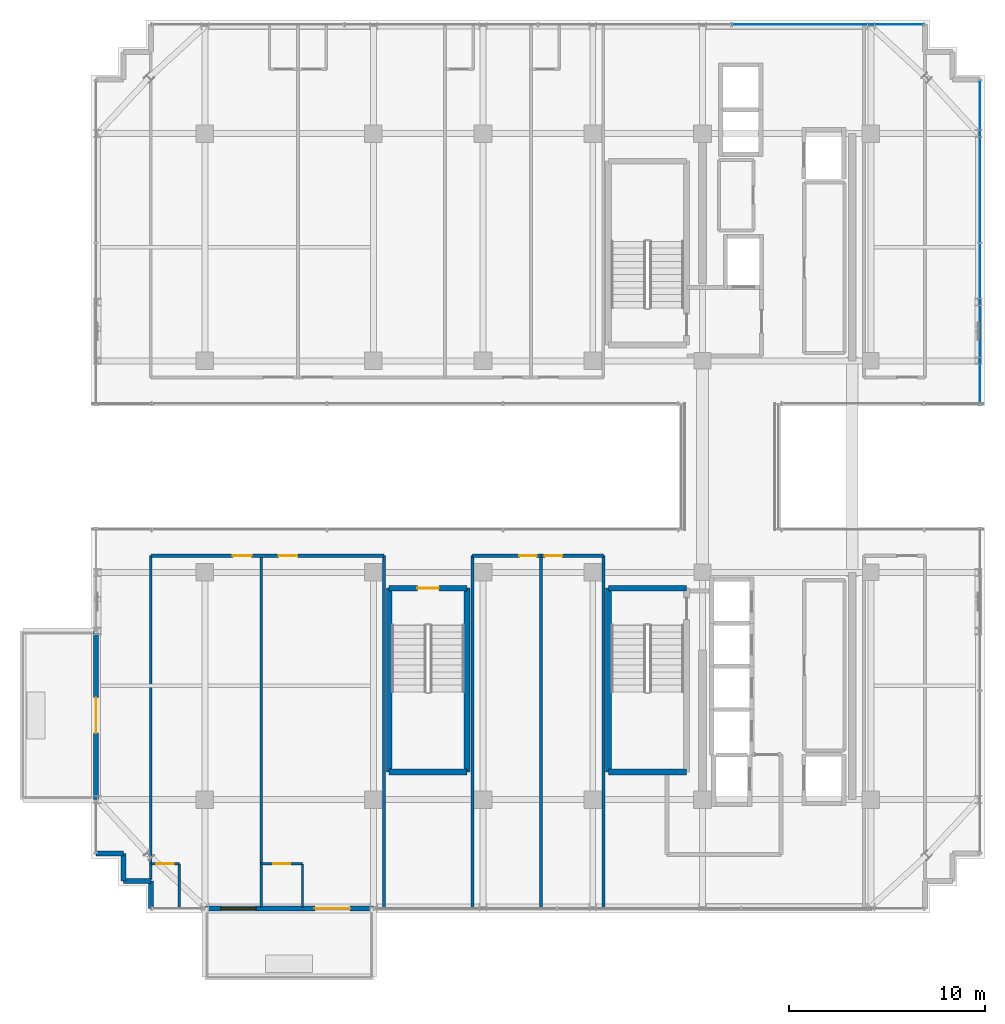
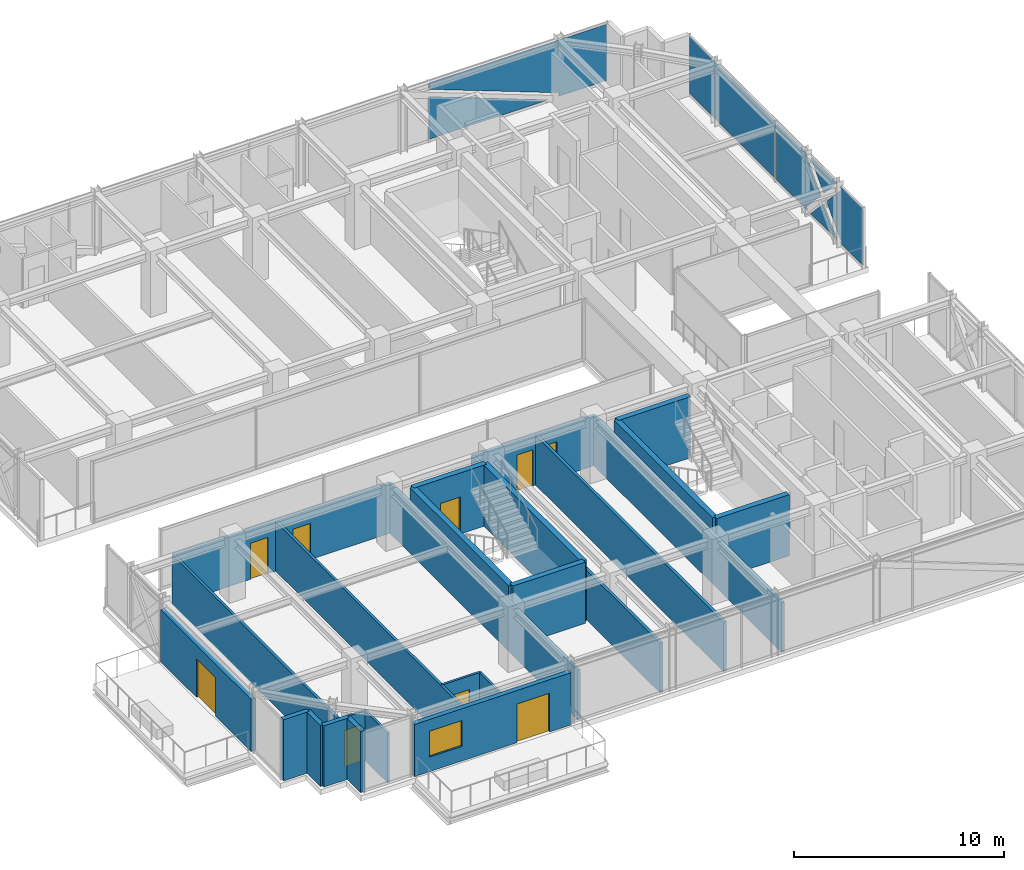
# One storey, part 30 of 37: 26 walls, 9 doors, 3 plates, 1 window, 10 openings, 2 elements without a shape of their own.
"""IFC4 building model written with IfcOpenShell, lengths in metres."""

from ifc_helpers import new_model, si_unit, direction, frame, frame_2d, origin, origin_2d, place, context, subcontext, project, spatial, polyline, rectangle, outline, extrude, source, transform, mapped, material, layer, layer_set, type_object, element, fill, aggregate, save


model = new_model("IFC4")

# Units and contexts
model_context = context("Model", 3, precision=1e-05, world=origin(), true_north=direction((0.0, 1.0)))
body_context = subcontext(model_context, "Body", "Model", "MODEL_VIEW")
ifc_project = project(units=[si_unit("LENGTHUNIT", "METRE"), si_unit("AREAUNIT", "SQUARE_METRE"), si_unit("VOLUMEUNIT", "CUBIC_METRE"), si_unit("PLANEANGLEUNIT", "RADIAN"), si_unit("MASSUNIT", "GRAM", prefix="KILO")], contexts=[model_context])

# Site, building, storey
site_placement = place(None, origin())
site = spatial("IfcSite", under=ifc_project, at=site_placement, CompositionType="ELEMENT")
building_placement = place(site_placement, origin())
building = spatial("IfcBuilding", under=site, at=building_placement, Name="Nahalor Promenade Grand Hotel", CompositionType="ELEMENT")
storey_placement = place(building_placement, frame((0.0, 0.0, 308.050048828125)))
storey = spatial("IfcBuildingStorey", under=building, at=storey_placement, Name="L79", CompositionType="ELEMENT", Elevation=308.050048828125)

# Curtain wall, plate
ifc_material_1 = material(Name="Anodised Bronze Aluminium EN AW-6063 T6", Category="aluminium")
curtain_wall_type = type_object("IfcCurtainWallType", Name="CW3 Elliptical-Void Collar Unitised Curtain Wall", PredefinedType="USERDEFINED", material=ifc_material_1)
curtain_wall_1_placement = place(storey_placement, origin())
curtain_wall_1 = element("IfcCurtainWall", 1, at=curtain_wall_1_placement, inside=storey, type_object=curtain_wall_type, Name="L79 Curtain Wall CW-L79-N-1", ObjectType="UNITISED_CURTAIN_WALL", PredefinedType="USERDEFINED")
ifc_material_2 = material(Name="Low-E Laminated Solar Glass", Category="glass")
ifc_layer_1 = layer(ifc_material_2, 0.030029296875)
ifc_layer_set_1 = layer_set([ifc_layer_1], Name="Low-E Laminated Solar Glass")
plate_type = type_object("IfcPlateType", Name="CWP3 High-Wind Laminated Bronze IGU 30mm", PredefinedType="CURTAIN_PANEL", material=ifc_layer_set_1)
plate_1_placement = place(storey_placement, frame((14.802490234375, 22.56005859375, 0.139892578125), z_axis=(0.0, 0.0, 1.0), x_axis=(1.0, 0.0, 0.0)))
plate_1 = element("IfcPlate", 2, at=plate_1_placement, type_object=plate_type, Name="CW-L79-N-1 Glazing Panel 3-0", PredefinedType="CURTAIN_PANEL", context=body_context, shape_type="SweptSolid", body=[
    extrude(outline(polyline([(4.887451171875, 3.27001953125), (-4.887451171875, 3.27001953125), (-4.887451171875, 2.9013671875), (2.29150390625, 0.188232421875), (2.220458984375, 0.0), (4.887451171875, 0.0), (4.887451171875, 3.27001953125)])), frame((0.0, 0.01513671875, 0.0), z_axis=(0.0, -1.0, 0.0), x_axis=(1.0, 0.0, 0.0)), (0.0, 0.0, 1.0), 0.030029296875),
    extrude(outline(polyline([(-4.887451171875, 2.4736328125), (-4.887451171875, 0.0), (1.658203125, 0.0), (-4.887451171875, 2.4736328125)])), frame((0.0, 0.01513671875, 0.0), z_axis=(0.0, -1.0, 0.0), x_axis=(1.0, 0.0, 0.0)), (0.0, 0.0, 1.0), 0.030029296875),
])
aggregate(curtain_wall_1, [plate_1])

# Curtain wall, plates
curtain_wall_2_placement = place(storey_placement, origin())
curtain_wall_2 = element("IfcCurtainWall", 3, at=curtain_wall_2_placement, inside=storey, type_object=curtain_wall_type, Name="L79 Curtain Wall CW-L79-E-2", ObjectType="UNITISED_CURTAIN_WALL", PredefinedType="USERDEFINED")
plate_2_placement = place(storey_placement, frame((22.56005859375, 7.282470703125, 0.139892578125), z_axis=(0.0, 0.0, 1.0), x_axis=(0.0, 1.0, 0.0)))
plate_2 = element("IfcPlate", 4, at=plate_2_placement, type_object=plate_type, Name="CW-L79-E-2 Glazing Panel 0-0", PredefinedType="CURTAIN_PANEL", context=body_context, shape_type="SweptSolid", body=[
    extrude(outline(polyline([(-4.112548828125, 3.27001953125), (-4.112548828125, 0.0), (-1.908447265625, 0.0), (-2.04638671875, 0.127197265625), (-0.65478515625, 1.635009765625), (-2.04638671875, 3.142822265625), (-1.908447265625, 3.27001953125), (-4.112548828125, 3.27001953125)])), frame((0.0, 0.01513671875, 0.0), z_axis=(0.0, -1.0, 0.0), x_axis=(1.0, 0.0, 0.0)), (0.0, 0.0, 1.0), 0.030029296875),
    extrude(outline(polyline([(-0.382568359375, 1.340087890625), (-1.61962890625, 0.0), (0.8544921875, 0.0), (-0.382568359375, 1.340087890625)])), frame((0.0, 0.01513671875, 0.0), z_axis=(0.0, -1.0, 0.0), x_axis=(1.0, 0.0, 0.0)), (0.0, 0.0, 1.0), 0.030029296875),
    extrude(outline(polyline([(-0.382568359375, 1.929931640625), (0.8544921875, 3.27001953125), (-1.61962890625, 3.27001953125), (-0.382568359375, 1.929931640625)])), frame((0.0, 0.01513671875, 0.0), z_axis=(0.0, -1.0, 0.0), x_axis=(1.0, 0.0, 0.0)), (0.0, 0.0, 1.0), 0.030029296875),
    extrude(outline(polyline([(4.112548828125, 0.0), (4.112548828125, 3.27001953125), (1.1435546875, 3.27001953125), (1.281494140625, 3.142822265625), (-0.1103515625, 1.635009765625), (1.281494140625, 0.127197265625), (1.1435546875, 0.0), (4.112548828125, 0.0)])), frame((0.0, 0.01513671875, 0.0), z_axis=(0.0, -1.0, 0.0), x_axis=(1.0, 0.0, 0.0)), (0.0, 0.0, 1.0), 0.030029296875),
])
shared_shape_1 = source(origin(), body_context, "Body", "SweptSolid", [
    extrude(rectangle(XDim=8.22509765625, YDim=0.030029296875, at=origin_2d()), origin(), (0.0, 0.0, 1.0), 3.27001953125),
])
plate_3_placement = place(storey_placement, frame((22.56005859375, 15.577392578125, 0.139892578125), z_axis=(0.0, 0.0, 1.0), x_axis=(0.0, 1.0, 0.0)))
plate_3 = element("IfcPlate", 5, at=plate_3_placement, type_object=plate_type, Name="CW-L79-E-2 Glazing Panel 1-0", PredefinedType="CURTAIN_PANEL", context=body_context, shape_type="MappedRepresentation", body=[
    mapped(shared_shape_1, transform((0.0, 0.0, 0.0), scale=1.0)),
])
aggregate(curtain_wall_2, [plate_2, plate_3])

# Walls
ifc_material_3 = material(Name="Concrete B-50 (C40/50)", Category="concrete")
ifc_layer_2 = layer(ifc_material_3, 0.300048828125)
ifc_layer_set_2 = layer_set([ifc_layer_2], Name="Concrete B-50 (C40/50)")
wall_type_1 = type_object("IfcWallType", Name="Wall-ShaftShear-300", PredefinedType="SHEAR", material=ifc_layer_set_2)
shared_shape_2 = source(origin(), body_context, "Body", "SweptSolid", [
    extrude(rectangle(XDim=3.97998046875, YDim=0.300048828125, at=frame_2d((1.989990234375, 0.0))), origin(), (0.0, 0.0, 1.0), 3.550048828125),
])
for number, where, z_axis, x_axis, name in (
    (6, (3.610107421875, -15.590087890625, 0.0), (0.0, 0.0, 1.0), (1.0, 0.0, 0.0), "L79 Exit Stair ST2 Shaft Wall S"),
    (7, (3.610107421875, -6.2099609375, 0.0), (0.0, 0.0, 1.0), (1.0, 0.0, 0.0), "L79 Exit Stair ST2 Shaft Wall N"),
    (8, (-7.590087890625, -15.590087890625, 0.0), (0.0, 0.0, 1.0), (1.0, 0.0, 0.0), "L79 Exit Stair ST3 Shaft Wall S"),
):
    element("IfcWall", number, at=place(storey_placement, frame(where, z_axis=z_axis, x_axis=x_axis)), inside=storey, type_object=wall_type_1, Name=name, PredefinedType="SHEAR", context=body_context, shape_type="MappedRepresentation", body=[
        mapped(shared_shape_2, transform((0.0, 0.0, 0.0), scale=1.0)),
    ])

# Wall, opening, door
wall_1_placement = place(storey_placement, frame((-7.590087890625, -6.2099609375, 0.0), z_axis=(0.0, 0.0, 1.0), x_axis=(1.0, 0.0, 0.0)))
wall_1 = element("IfcWall", 9, at=wall_1_placement, inside=storey, type_object=wall_type_1, Name="L79 Exit Stair ST3 Shaft Wall N", PredefinedType="SHEAR", context=body_context, shape_type="MappedRepresentation", body=[
    mapped(shared_shape_2, transform((0.0, 0.0, 0.0), scale=1.0)),
])
opening_1_placement = place(wall_1_placement, frame((1.43994140625, 0.0, 0.0)))
opening_1 = element("IfcOpeningElement", 10, at=opening_1_placement, cuts=wall_1, Name="Opening D-ST1", PredefinedType="OPENING", context=body_context, shape_type="SweptSolid", body=[
    extrude(rectangle(XDim=1.10009765625, YDim=2.14990234375, at=frame_2d((0.550048828125, 1.074951171875))), frame((0.0, 0.159912109375, 0.0), z_axis=(0.0, -1.0, 0.0), x_axis=(1.0, 0.0, 0.0)), (0.0, 0.0, 1.0), 0.320068359375),
])
ifc_material_4 = material(Name="Steel S355JR", Category="steel")
door_type_1 = type_object("IfcDoorType", Name="Door-StairFire-1100", OperationType="NOTDEFINED", PredefinedType="DOOR", material=ifc_material_4)
shared_shape_3 = source(origin(), body_context, "Body", "SweptSolid", [
    extrude(rectangle(XDim=1.10009765625, YDim=2.14990234375, at=frame_2d((0.550048828125, 1.074951171875))), frame((0.0, 0.02490234375, 0.0), z_axis=(0.0, -1.0, 0.0), x_axis=(1.0, 0.0, 0.0)), (0.0, 0.0, 1.0), 0.050048828125),
])
door_1_placement = place(opening_1_placement, frame((1.10009765625, 0.0, 0.0), z_axis=(0.0, 0.0, 1.0), x_axis=(-1.0, 0.0, 0.0)))
door_1 = element("IfcDoor", 11, at=door_1_placement, inside=storey, type_object=door_type_1, Name="DR-STAIR-ST3-L79", OperationType="SINGLE_SWING_RIGHT", OverallHeight=2.14990234375, OverallWidth=1.10009765625, PredefinedType="DOOR", context=body_context, shape_type="MappedRepresentation", body=[
    mapped(shared_shape_3, transform((0.0, 0.0, 0.0), scale=1.0)),
])
fill(opening_1, door_1)

# Walls
shared_shape_4 = source(origin(), body_context, "Body", "SweptSolid", [
    extrude(rectangle(XDim=9.380126953125, YDim=0.300048828125, at=frame_2d((4.68994140625, 0.0))), origin(), (0.0, 0.0, 1.0), 3.550048828125),
])
for number, where, z_axis, x_axis, name in (
    (12, (3.610107421875, -15.590087890625, 0.0), (0.0, 0.0, 1.0), (0.0, 1.0, 0.0), "L79 Exit Stair ST2 Shaft Wall W"),
    (13, (-7.590087890625, -15.590087890625, 0.0), (0.0, 0.0, 1.0), (0.0, 1.0, 0.0), "L79 Exit Stair ST3 Shaft Wall W"),
    (14, (-3.610107421875, -15.590087890625, 0.0), (0.0, 0.0, 1.0), (0.0, 1.0, 0.0), "L79 Exit Stair ST3 Shaft Wall E"),
):
    element("IfcWall", number, at=place(storey_placement, frame(where, z_axis=z_axis, x_axis=x_axis)), inside=storey, type_object=wall_type_1, Name=name, PredefinedType="SHEAR", context=body_context, shape_type="MappedRepresentation", body=[
        mapped(shared_shape_4, transform((0.0, 0.0, 0.0), scale=1.0)),
    ])
ifc_material_5 = material(Name="Concrete B-40 (C32/40)", Category="concrete")
ifc_layer_3 = layer(ifc_material_5, 0.25)
ifc_layer_set_3 = layer_set([ifc_layer_3], Name="Concrete B-40 (C32/40)")
wall_type_2 = type_object("IfcWallType", Name="Wall-BronzePier-250", PredefinedType="STANDARD", material=ifc_layer_set_3)
shared_shape_5 = source(origin(), body_context, "Body", "SweptSolid", [
    extrude(rectangle(XDim=1.400146484375, YDim=0.25, at=frame_2d((0.7001953125, 0.0))), origin(), (0.0, 0.0, 1.0), 3.550048828125),
])
for number, where, z_axis, x_axis, name in (
    (15, (-22.56005859375, -19.760009765625, 0.0), (0.0, 0.0, 1.0), (1.0, 0.0, 0.0), "W-L79-SR-13"),
    (16, (-19.760009765625, -22.56005859375, 0.0), (0.0, 0.0, 1.0), (0.0, 1.0, 0.0), "W-L79-SR-16"),
):
    element("IfcWall", number, at=place(storey_placement, frame(where, z_axis=z_axis, x_axis=x_axis)), inside=storey, type_object=wall_type_2, Name=name, PredefinedType="STANDARD", context=body_context, shape_type="MappedRepresentation", body=[
        mapped(shared_shape_5, transform((0.0, 0.0, 0.0), scale=1.0)),
    ])
shared_shape_6 = source(origin(), body_context, "Body", "SweptSolid", [
    extrude(rectangle(XDim=1.39990234375, YDim=0.25, at=frame_2d((0.699951171875, 0.0))), origin(), (0.0, 0.0, 1.0), 3.550048828125),
])
for number, where, z_axis, x_axis, name in (
    (17, (-21.159912109375, -21.159912109375, 0.0), (0.0, 0.0, 1.0), (0.0, 1.0, 0.0), "W-L79-SR-14"),
    (18, (-21.159912109375, -21.159912109375, 0.0), (0.0, 0.0, 1.0), (1.0, 0.0, 0.0), "W-L79-SR-15"),
):
    element("IfcWall", number, at=place(storey_placement, frame(where, z_axis=z_axis, x_axis=x_axis)), inside=storey, type_object=wall_type_2, Name=name, PredefinedType="STANDARD", context=body_context, shape_type="MappedRepresentation", body=[
        mapped(shared_shape_6, transform((0.0, 0.0, 0.0), scale=1.0)),
    ])

# Wall, openings, door, window
ifc_layer_4 = layer(ifc_material_5, 0.260009765625)
ifc_layer_set_4 = layer_set([ifc_layer_4], Name="Concrete B-40 (C32/40)")
wall_type_3 = type_object("IfcWallType", Name="Wall-BalconyWall-260", PredefinedType="STANDARD", material=ifc_layer_set_4)
shared_shape_7 = source(origin(), body_context, "Body", "SweptSolid", [
    extrude(rectangle(XDim=8.60009765625, YDim=0.260009765625, at=frame_2d((4.300048828125, 0.0))), origin(), (0.0, 0.0, 1.0), 3.030029296875),
])
wall_2_placement = place(storey_placement, frame((-17.0, -22.56005859375, 0.0), z_axis=(0.0, 0.0, 1.0), x_axis=(1.0, 0.0, 0.0)))
wall_2 = element("IfcWall", 19, at=wall_2_placement, inside=storey, type_object=wall_type_3, Name="W-L79-BALC-S-2", PredefinedType="STANDARD", context=body_context, shape_type="MappedRepresentation", body=[
    mapped(shared_shape_7, transform((0.0, 0.0, 0.0), scale=1.0)),
])
opening_2_placement = place(wall_2_placement, frame((5.614990234375, 0.0, 0.0)))
opening_2 = element("IfcOpeningElement", 20, at=opening_2_placement, cuts=wall_2, Name="Opening D-BC1", PredefinedType="OPENING", context=body_context, shape_type="SweptSolid", body=[
    extrude(rectangle(XDim=1.800048828125, YDim=2.25, at=frame_2d((0.89990234375, 1.125))), frame((0.0, 0.139892578125, 0.0), z_axis=(0.0, -1.0, 0.0), x_axis=(1.0, 0.0, 0.0)), (0.0, 0.0, 1.0), 0.280029296875),
])
opening_3_placement = place(wall_2_placement, frame((0.81005859375, 0.0, 0.85009765625)))
opening_3 = element("IfcOpeningElement", 21, at=opening_3_placement, cuts=wall_2, Name="Opening WN-01", PredefinedType="OPENING", context=body_context, shape_type="SweptSolid", body=[
    extrude(rectangle(XDim=1.800048828125, YDim=1.5, at=frame_2d((0.89990234375, 0.75))), frame((0.0, 0.139892578125, 0.0), z_axis=(0.0, -1.0, 0.0), x_axis=(1.0, 0.0, 0.0)), (0.0, 0.0, 1.0), 0.280029296875),
])
door_type_2 = type_object("IfcDoorType", Name="Door-BalconySlide-1800", OperationType="DOUBLE_DOOR_SLIDING", PredefinedType="DOOR", material=ifc_material_1)
shared_shape_8 = source(origin(), body_context, "Body", "SweptSolid", [
    extrude(rectangle(XDim=1.800048828125, YDim=2.25, at=frame_2d((0.89990234375, 1.125))), frame((0.0, 0.02490234375, 0.0), z_axis=(0.0, -1.0, 0.0), x_axis=(1.0, 0.0, 0.0)), (0.0, 0.0, 1.0), 0.050048828125),
])
door_2_placement = place(opening_2_placement, frame((1.800048828125, 0.0, 0.0), z_axis=(0.0, 0.0, 1.0), x_axis=(-1.0, 0.0, 0.0)))
door_2 = element("IfcDoor", 22, at=door_2_placement, inside=storey, type_object=door_type_2, Name="DR-L79-BALC-S-2", OperationType="DOUBLE_DOOR_SLIDING", OverallHeight=2.25, OverallWidth=1.800048828125, PredefinedType="DOOR", context=body_context, shape_type="MappedRepresentation", body=[
    mapped(shared_shape_8, transform((0.0, 0.0, 0.0), scale=1.0)),
])
fill(opening_2, door_2)
window_type = type_object("IfcWindowType", Name="Win-ChicagoBay-1800x1500", PartitioningType="SINGLE_PANEL", PredefinedType="WINDOW", material=ifc_material_2)
shared_shape_9 = source(origin(), body_context, "Body", "SweptSolid", [
    extrude(rectangle(XDim=1.800048828125, YDim=1.5, at=frame_2d((0.89990234375, 0.75))), frame((0.0, 0.030029296875, 0.0), z_axis=(0.0, -1.0, 0.0), x_axis=(1.0, 0.0, 0.0)), (0.0, 0.0, 1.0), 0.06005859375),
])
window_placement = place(opening_3_placement, origin())
window = element("IfcWindow", 23, at=window_placement, inside=storey, type_object=window_type, Name="WN-L79-BALC-S-2-1", OverallHeight=1.5, OverallWidth=1.800048828125, PartitioningType="SINGLE_PANEL", PredefinedType="WINDOW", context=body_context, shape_type="MappedRepresentation", body=[
    mapped(shared_shape_9, transform((0.0, 0.0, 0.0), scale=1.0)),
])
fill(opening_3, window)

# Wall, opening, door
wall_3_placement = place(storey_placement, frame((-22.56005859375, -17.0, 0.0), z_axis=(0.0, 0.0, 1.0), x_axis=(0.0, 1.0, 0.0)))
wall_3 = element("IfcWall", 24, at=wall_3_placement, inside=storey, type_object=wall_type_3, Name="W-L79-BALC-W-2", PredefinedType="STANDARD", context=body_context, shape_type="MappedRepresentation", body=[
    mapped(shared_shape_7, transform((0.0, 0.0, 0.0), scale=1.0)),
])
opening_4_placement = place(wall_3_placement, frame((3.39990234375, 0.0, 0.0)))
opening_4 = element("IfcOpeningElement", 25, at=opening_4_placement, cuts=wall_3, Name="Opening D-BC1", PredefinedType="OPENING", context=body_context, shape_type="SweptSolid", body=[
    extrude(rectangle(XDim=1.800048828125, YDim=2.25, at=frame_2d((0.89990234375, 1.125))), frame((0.0, 0.139892578125, 0.0), z_axis=(0.0, -1.0, 0.0), x_axis=(1.0, 0.0, 0.0)), (0.0, 0.0, 1.0), 0.280029296875),
])
door_3_placement = place(opening_4_placement, origin())
door_3 = element("IfcDoor", 26, at=door_3_placement, inside=storey, type_object=door_type_2, Name="DR-L79-BALC-W-2", OperationType="DOUBLE_DOOR_SLIDING", OverallHeight=2.25, OverallWidth=1.800048828125, PredefinedType="DOOR", context=body_context, shape_type="MappedRepresentation", body=[
    mapped(shared_shape_8, transform((0.0, 0.0, 0.0), scale=1.0)),
])
fill(opening_4, door_3)

# Walls
ifc_material_6 = material(Name="Acoustic Mineral Gypsum", Category="gypsum")
ifc_layer_5 = layer(ifc_material_6, 0.159912109375)
ifc_layer_set_5 = layer_set([ifc_layer_5], Name="Acoustic Mineral Gypsum")
wall_type_4 = type_object("IfcWallType", Name="Wall-PartCorridor-160", PredefinedType="PARTITIONING", material=ifc_layer_set_5)
shared_shape_10 = source(origin(), body_context, "Body", "SweptSolid", [
    extrude(rectangle(XDim=17.949951171875, YDim=0.159912109375, at=frame_2d((8.97509765625, 0.0))), origin(), (0.0, 0.0, 1.0), 2.889892578125),
])
for number, where, z_axis, x_axis, name in (
    (27, (-3.340087890625, -22.5, 0.0), (0.0, 0.0, 1.0), (0.0, 1.0, 0.0), "W-L79-SCB1-W"),
    (28, (0.14990234375, -22.5, 0.0), (0.0, 0.0, 1.0), (0.0, 1.0, 0.0), "W-L79-SCB1-E"),
    (29, (3.340087890625, -22.5, 0.0), (0.0, 0.0, 1.0), (0.0, 1.0, 0.0), "W-L79-SCB2-E"),
):
    element("IfcWall", number, at=place(storey_placement, frame(where, z_axis=z_axis, x_axis=x_axis)), inside=storey, type_object=wall_type_4, Name=name, PredefinedType="PARTITIONING", context=body_context, shape_type="MappedRepresentation", body=[
        mapped(shared_shape_10, transform((0.0, 0.0, 0.0), scale=1.0)),
    ])
ifc_layer_6 = layer(ifc_material_6, 0.139892578125)
ifc_layer_set_6 = layer_set([ifc_layer_6], Name="Acoustic Mineral Gypsum")
wall_type_5 = type_object("IfcWallType", Name="Wall-PartSuite-140", PredefinedType="PARTITIONING", material=ifc_layer_set_6)
shared_shape_11 = source(origin(), body_context, "Body", "SweptSolid", [
    extrude(rectangle(XDim=16.530029296875, YDim=0.139892578125, at=frame_2d((8.26513671875, 0.0))), origin(), (0.0, 0.0, 1.0), 2.889892578125),
])
wall_4_placement = place(storey_placement, frame((-19.760009765625, -21.080078125, 0.0), z_axis=(0.0, 0.0, 1.0), x_axis=(0.0, 1.0, 0.0)))
element("IfcWall", 30, at=wall_4_placement, inside=storey, type_object=wall_type_5, Name="W-L79-SW-ENDW", PredefinedType="PARTITIONING", context=body_context, shape_type="MappedRepresentation", body=[
    mapped(shared_shape_11, transform((0.0, 0.0, 0.0), scale=1.0)),
])
shared_shape_12 = source(origin(), body_context, "Body", "SweptSolid", [
    extrude(rectangle(XDim=17.949951171875, YDim=0.139892578125, at=frame_2d((8.97509765625, 0.0))), origin(), (0.0, 0.0, 1.0), 2.889892578125),
])
for number, where, z_axis, x_axis, name in (
    (31, (-7.860107421875, -22.5, 0.0), (0.0, 0.0, 1.0), (0.0, 1.0, 0.0), "W-L79-SW-ENDE"),
    (32, (-14.1298828125, -22.5, 0.0), (0.0, 0.0, 1.0), (0.0, 1.0, 0.0), "W-L79-SP-1"),
):
    element("IfcWall", number, at=place(storey_placement, frame(where, z_axis=z_axis, x_axis=x_axis)), inside=storey, type_object=wall_type_5, Name=name, PredefinedType="PARTITIONING", context=body_context, shape_type="MappedRepresentation", body=[
        mapped(shared_shape_12, transform((0.0, 0.0, 0.0), scale=1.0)),
    ])

# Wall, opening, door
ifc_layer_7 = layer(ifc_material_6, 0.1201171875)
ifc_layer_set_7 = layer_set([ifc_layer_7], Name="Acoustic Mineral Gypsum")
wall_type_6 = type_object("IfcWallType", Name="Wall-PartBath-120", PredefinedType="PARTITIONING", material=ifc_layer_set_7)
shared_shape_13 = source(origin(), body_context, "Body", "SweptSolid", [
    extrude(rectangle(XDim=1.449951171875, YDim=0.1201171875, at=frame_2d((0.72509765625, 0.0))), origin(), (0.0, 0.0, 1.0), 2.889892578125),
])
wall_5_placement = place(storey_placement, frame((-19.760009765625, -20.280029296875, 0.0), z_axis=(0.0, 0.0, 1.0), x_axis=(1.0, 0.0, 0.0)))
wall_5 = element("IfcWall", 33, at=wall_5_placement, inside=storey, type_object=wall_type_6, Name="W-L79-S1-BH", PredefinedType="PARTITIONING", context=body_context, shape_type="MappedRepresentation", body=[
    mapped(shared_shape_13, transform((0.0, 0.0, 0.0), scale=1.0)),
])
opening_5_placement = place(wall_5_placement, frame((0.284912109375, 0.0, 0.0)))
opening_5 = element("IfcOpeningElement", 34, at=opening_5_placement, cuts=wall_5, Name="Opening D-03", PredefinedType="OPENING", context=body_context, shape_type="SweptSolid", body=[
    extrude(rectangle(XDim=0.8798828125, YDim=2.10009765625, at=frame_2d((0.43994140625, 1.050048828125))), frame((0.0, 0.070068359375, 0.0), z_axis=(0.0, -1.0, 0.0), x_axis=(1.0, 0.0, 0.0)), (0.0, 0.0, 1.0), 0.14013671875),
])
ifc_material_7 = material(Name="Fire-Rated Timber Composite", Category="wood")
door_type_3 = type_object("IfcDoorType", Name="Door-BathSwing-880", OperationType="NOTDEFINED", PredefinedType="DOOR", material=ifc_material_7)
shared_shape_14 = source(origin(), body_context, "Body", "SweptSolid", [
    extrude(rectangle(XDim=0.8798828125, YDim=2.10009765625, at=frame_2d((0.43994140625, 1.050048828125))), frame((0.0, 0.02490234375, 0.0), z_axis=(0.0, -1.0, 0.0), x_axis=(1.0, 0.0, 0.0)), (0.0, 0.0, 1.0), 0.050048828125),
])
door_4_placement = place(opening_5_placement, frame((0.8798828125, 0.0, 0.0), z_axis=(0.0, 0.0, 1.0), x_axis=(-1.0, 0.0, 0.0)))
door_4 = element("IfcDoor", 35, at=door_4_placement, inside=storey, type_object=door_type_3, Name="DR-L79-S1-BATH", OperationType="SINGLE_SWING_RIGHT", OverallHeight=2.10009765625, OverallWidth=0.8798828125, PredefinedType="DOOR", context=body_context, shape_type="MappedRepresentation", body=[
    mapped(shared_shape_14, transform((0.0, 0.0, 0.0), scale=1.0)),
])
fill(opening_5, door_4)

# Walls
shared_shape_15 = source(origin(), body_context, "Body", "SweptSolid", [
    extrude(rectangle(XDim=2.219970703125, YDim=0.1201171875, at=frame_2d((1.10986328125, 0.0))), origin(), (0.0, 0.0, 1.0), 2.889892578125),
])
for number, where, z_axis, x_axis, name in (
    (36, (-18.31005859375, -22.5, 0.0), (0.0, 0.0, 1.0), (0.0, 1.0, 0.0), "W-L79-S1-BV"),
    (37, (-12.02001953125, -22.5, 0.0), (0.0, 0.0, 1.0), (0.0, 1.0, 0.0), "W-L79-S2-BV"),
):
    element("IfcWall", number, at=place(storey_placement, frame(where, z_axis=z_axis, x_axis=x_axis)), inside=storey, type_object=wall_type_6, Name=name, PredefinedType="PARTITIONING", context=body_context, shape_type="MappedRepresentation", body=[
        mapped(shared_shape_15, transform((0.0, 0.0, 0.0), scale=1.0)),
    ])

# Wall, openings, doors
shared_shape_16 = source(origin(), body_context, "Body", "SweptSolid", [
    extrude(rectangle(XDim=11.89990234375, YDim=0.159912109375, at=frame_2d((5.949951171875, 0.0))), origin(), (0.0, 0.0, 1.0), 2.889892578125),
])
wall_6_placement = place(storey_placement, frame((-19.760009765625, -4.550048828125, 0.0), z_axis=(0.0, 0.0, 1.0), x_axis=(1.0, 0.0, 0.0)))
wall_6 = element("IfcWall", 38, at=wall_6_placement, inside=storey, type_object=wall_type_4, Name="W-L79-CORR-S", PredefinedType="PARTITIONING", context=body_context, shape_type="MappedRepresentation", body=[
    mapped(shared_shape_16, transform((0.0, 0.0, 0.0), scale=1.0)),
])
opening_6_placement = place(wall_6_placement, frame((4.19091796875, 0.0, 0.0)))
opening_6 = element("IfcOpeningElement", 39, at=opening_6_placement, cuts=wall_6, Name="Opening D-01", PredefinedType="OPENING", context=body_context, shape_type="SweptSolid", body=[
    extrude(rectangle(XDim=0.949951171875, YDim=2.10009765625, at=frame_2d((0.47509765625, 1.050048828125))), frame((0.0, 0.08984375, 0.0), z_axis=(0.0, -1.0, 0.0), x_axis=(1.0, 0.0, 0.0)), (0.0, 0.0, 1.0), 0.179931640625),
])
opening_7_placement = place(wall_6_placement, frame((6.52490234375, 0.0, 0.0)))
opening_7 = element("IfcOpeningElement", 40, at=opening_7_placement, cuts=wall_6, Name="Opening D-01", PredefinedType="OPENING", context=body_context, shape_type="SweptSolid", body=[
    extrude(rectangle(XDim=0.949951171875, YDim=2.10009765625, at=frame_2d((0.47509765625, 1.050048828125))), frame((0.0, 0.08984375, 0.0), z_axis=(0.0, -1.0, 0.0), x_axis=(1.0, 0.0, 0.0)), (0.0, 0.0, 1.0), 0.179931640625),
])
door_type_4 = type_object("IfcDoorType", Name="Door-GuestEntry-950", OperationType="NOTDEFINED", PredefinedType="DOOR", material=ifc_material_7)
shared_shape_17 = source(origin(), body_context, "Body", "SweptSolid", [
    extrude(rectangle(XDim=0.949951171875, YDim=2.10009765625, at=frame_2d((0.47509765625, 1.050048828125))), frame((0.0, 0.02490234375, 0.0), z_axis=(0.0, -1.0, 0.0), x_axis=(1.0, 0.0, 0.0)), (0.0, 0.0, 1.0), 0.050048828125),
])
door_5_placement = place(opening_6_placement, frame((0.949951171875, 0.0, 0.0), z_axis=(0.0, 0.0, 1.0), x_axis=(-1.0, 0.0, 0.0)))
door_5 = element("IfcDoor", 41, at=door_5_placement, inside=storey, type_object=door_type_4, Name="DR-L79-S1-ENT", OperationType="SINGLE_SWING_LEFT", OverallHeight=2.10009765625, OverallWidth=0.949951171875, PredefinedType="DOOR", context=body_context, shape_type="MappedRepresentation", body=[
    mapped(shared_shape_17, transform((0.0, 0.0, 0.0), scale=1.0)),
])
fill(opening_6, door_5)
door_6_placement = place(opening_7_placement, frame((0.949951171875, 0.0, 0.0), z_axis=(0.0, 0.0, 1.0), x_axis=(-1.0, 0.0, 0.0)))
door_6 = element("IfcDoor", 42, at=door_6_placement, inside=storey, type_object=door_type_4, Name="DR-L79-S2-ENT", OperationType="SINGLE_SWING_LEFT", OverallHeight=2.10009765625, OverallWidth=0.949951171875, PredefinedType="DOOR", context=body_context, shape_type="MappedRepresentation", body=[
    mapped(shared_shape_17, transform((0.0, 0.0, 0.0), scale=1.0)),
])
fill(opening_7, door_6)

# Wall, opening, door
shared_shape_18 = source(origin(), body_context, "Body", "SweptSolid", [
    extrude(rectangle(XDim=3.489990234375, YDim=0.159912109375, at=frame_2d((1.7451171875, 0.0))), origin(), (0.0, 0.0, 1.0), 2.889892578125),
])
wall_7_placement = place(storey_placement, frame((-3.340087890625, -4.550048828125, 0.0), z_axis=(0.0, 0.0, 1.0), x_axis=(1.0, 0.0, 0.0)))
wall_7 = element("IfcWall", 43, at=wall_7_placement, inside=storey, type_object=wall_type_4, Name="W-L79-SCB1-N", PredefinedType="PARTITIONING", context=body_context, shape_type="MappedRepresentation", body=[
    mapped(shared_shape_18, transform((0.0, 0.0, 0.0), scale=1.0)),
])
opening_8_placement = place(wall_7_placement, frame((2.39990234375, 0.0, 0.0)))
opening_8 = element("IfcOpeningElement", 44, at=opening_8_placement, cuts=wall_7, Name="Opening D-03", PredefinedType="OPENING", context=body_context, shape_type="SweptSolid", body=[
    extrude(rectangle(XDim=0.8798828125, YDim=2.10009765625, at=frame_2d((0.43994140625, 1.050048828125))), frame((0.0, 0.08984375, 0.0), z_axis=(0.0, -1.0, 0.0), x_axis=(1.0, 0.0, 0.0)), (0.0, 0.0, 1.0), 0.179931640625),
])
door_7_placement = place(opening_8_placement, frame((0.8798828125, 0.0, 0.0), z_axis=(0.0, 0.0, 1.0), x_axis=(-1.0, 0.0, 0.0)))
door_7 = element("IfcDoor", 45, at=door_7_placement, inside=storey, type_object=door_type_3, Name="DR-L79-SCB1", OperationType="SINGLE_SWING_RIGHT", OverallHeight=2.10009765625, OverallWidth=0.8798828125, PredefinedType="DOOR", context=body_context, shape_type="MappedRepresentation", body=[
    mapped(shared_shape_14, transform((0.0, 0.0, 0.0), scale=1.0)),
])
fill(opening_8, door_7)

shared_shape_19 = source(origin(), body_context, "Body", "SweptSolid", [
    extrude(rectangle(XDim=3.190185546875, YDim=0.159912109375, at=frame_2d((1.59521484375, 0.0))), origin(), (0.0, 0.0, 1.0), 2.889892578125),
])
wall_8_placement = place(storey_placement, frame((0.14990234375, -4.550048828125, 0.0), z_axis=(0.0, 0.0, 1.0), x_axis=(1.0, 0.0, 0.0)))
wall_8 = element("IfcWall", 46, at=wall_8_placement, inside=storey, type_object=wall_type_4, Name="W-L79-SCB2-N", PredefinedType="PARTITIONING", context=body_context, shape_type="MappedRepresentation", body=[
    mapped(shared_shape_19, transform((0.0, 0.0, 0.0), scale=1.0)),
])
opening_9_placement = place(wall_8_placement, frame((0.2099609375, 0.0, 0.0)))
opening_9 = element("IfcOpeningElement", 47, at=opening_9_placement, cuts=wall_8, Name="Opening D-03", PredefinedType="OPENING", context=body_context, shape_type="SweptSolid", body=[
    extrude(rectangle(XDim=0.8798828125, YDim=2.10009765625, at=frame_2d((0.43994140625, 1.050048828125))), frame((0.0, 0.08984375, 0.0), z_axis=(0.0, -1.0, 0.0), x_axis=(1.0, 0.0, 0.0)), (0.0, 0.0, 1.0), 0.179931640625),
])
door_8_placement = place(opening_9_placement, frame((0.8798828125, 0.0, 0.0), z_axis=(0.0, 0.0, 1.0), x_axis=(-1.0, 0.0, 0.0)))
door_8 = element("IfcDoor", 48, at=door_8_placement, inside=storey, type_object=door_type_3, Name="DR-L79-SCB2", OperationType="SINGLE_SWING_LEFT", OverallHeight=2.10009765625, OverallWidth=0.8798828125, PredefinedType="DOOR", context=body_context, shape_type="MappedRepresentation", body=[
    mapped(shared_shape_14, transform((0.0, 0.0, 0.0), scale=1.0)),
])
fill(opening_9, door_8)

shared_shape_20 = source(origin(), body_context, "Body", "SweptSolid", [
    extrude(rectangle(XDim=2.10986328125, YDim=0.1201171875, at=frame_2d((1.054931640625, 0.0))), origin(), (0.0, 0.0, 1.0), 2.889892578125),
])
wall_9_placement = place(storey_placement, frame((-14.1298828125, -20.280029296875, 0.0), z_axis=(0.0, 0.0, 1.0), x_axis=(1.0, 0.0, 0.0)))
wall_9 = element("IfcWall", 49, at=wall_9_placement, inside=storey, type_object=wall_type_6, Name="W-L79-S2-BH", PredefinedType="PARTITIONING", context=body_context, shape_type="MappedRepresentation", body=[
    mapped(shared_shape_20, transform((0.0, 0.0, 0.0), scale=1.0)),
])
opening_10_placement = place(wall_9_placement, frame((0.614990234375, 0.0, 0.0)))
opening_10 = element("IfcOpeningElement", 50, at=opening_10_placement, cuts=wall_9, Name="Opening D-03", PredefinedType="OPENING", context=body_context, shape_type="SweptSolid", body=[
    extrude(rectangle(XDim=0.8798828125, YDim=2.10009765625, at=frame_2d((0.43994140625, 1.050048828125))), frame((0.0, 0.070068359375, 0.0), z_axis=(0.0, -1.0, 0.0), x_axis=(1.0, 0.0, 0.0)), (0.0, 0.0, 1.0), 0.14013671875),
])
door_9_placement = place(opening_10_placement, frame((0.8798828125, 0.0, 0.0), z_axis=(0.0, 0.0, 1.0), x_axis=(-1.0, 0.0, 0.0)))
door_9 = element("IfcDoor", 51, at=door_9_placement, inside=storey, type_object=door_type_3, Name="DR-L79-S2-BATH", OperationType="SINGLE_SWING_RIGHT", OverallHeight=2.10009765625, OverallWidth=0.8798828125, PredefinedType="DOOR", context=body_context, shape_type="MappedRepresentation", body=[
    mapped(shared_shape_14, transform((0.0, 0.0, 0.0), scale=1.0)),
])
fill(opening_10, door_9)

save(model, "model.ifc")
